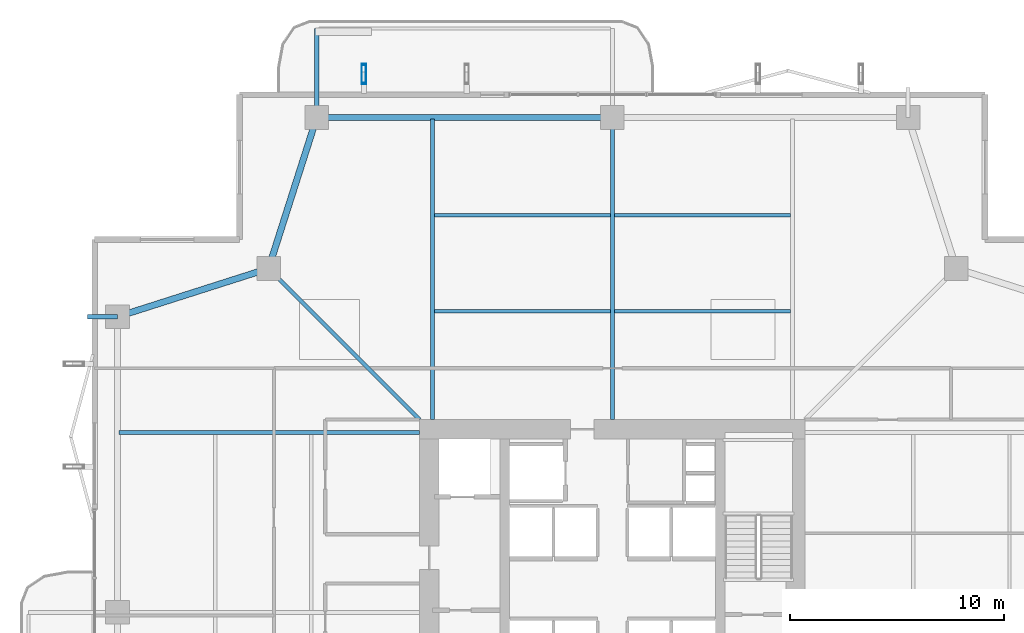
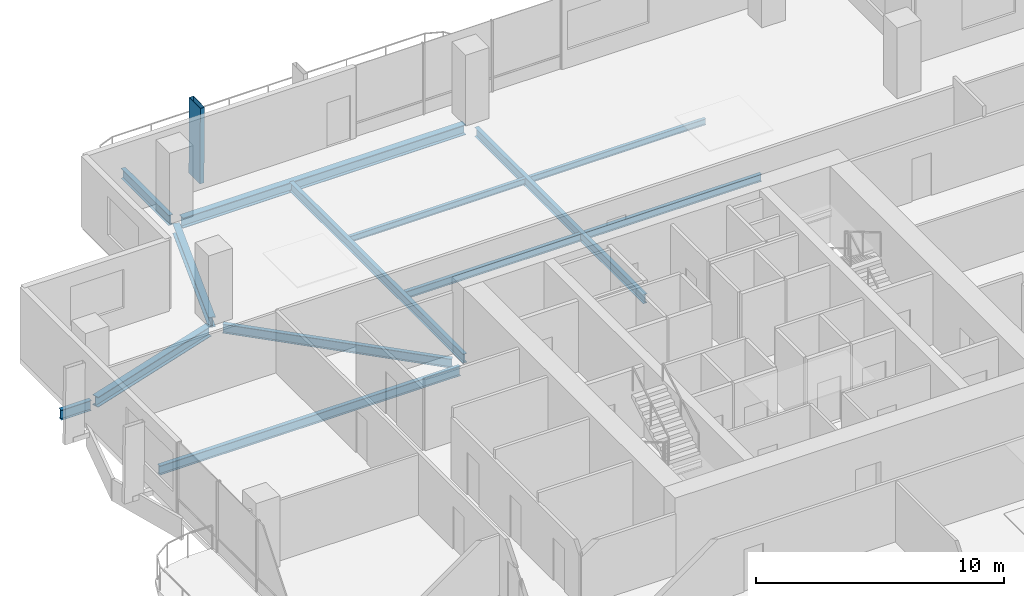
# One storey, part 12 of 24: 13 beams, 1 member.
"""IFC4 building model written with IfcOpenShell, lengths in metres."""

from ifc_helpers import new_model, si_unit, direction, frame, origin, origin_2d, place, context, subcontext, project, spatial, hollow_rectangle, i_section, extrude, material, material_profile, profile_set, type_object, element, save


model = new_model("IFC4")

# Units and contexts
model_context = context("Model", 3, precision=1e-05, world=origin(), true_north=direction((0.0, 1.0)))
body_context = subcontext(model_context, "Body", "Model", "MODEL_VIEW")
ifc_project = project(units=[si_unit("LENGTHUNIT", "METRE"), si_unit("AREAUNIT", "SQUARE_METRE"), si_unit("VOLUMEUNIT", "CUBIC_METRE"), si_unit("PLANEANGLEUNIT", "RADIAN"), si_unit("MASSUNIT", "GRAM", prefix="KILO")], contexts=[model_context])

# Site, building, storey
site_placement = place(None, origin())
site = spatial("IfcSite", under=ifc_project, at=site_placement, CompositionType="ELEMENT")
building_placement = place(site_placement, origin())
building = spatial("IfcBuilding", under=site, at=building_placement, Name="Belovzor Exchange Tower", CompositionType="ELEMENT")
storey_placement = place(building_placement, frame((0.0, 0.0, 179.550048828125)))
storey = spatial("IfcBuildingStorey", under=building, at=storey_placement, Name="L44", CompositionType="ELEMENT", Elevation=179.550048828125)

# Beams
ifc_material_1 = material(Name="Steel S355", Category="steel")
ifc_material_profile_1 = material_profile(ifc_material_1, i_section(OverallWidth=0.199951171875, OverallDepth=0.5, WebThickness=0.01025390625, FlangeThickness=0.01611328125, at=origin_2d()))
ifc_profile_set_1 = profile_set([ifc_material_profile_1], Name="Steel S355")
beam_type_1 = type_object("IfcBeamType", Name="Planted Balcony Cantilever Beam IPE 500", PredefinedType="BEAM", material=ifc_profile_set_1)
beam_1_placement = place(storey_placement, frame((15.0, 52.202880859375, -0.505126953125), z_axis=(0.0, 1.0, 0.0), x_axis=(-1.0, 0.0, 0.0)))
element("IfcBeam", 1, at=beam_1_placement, inside=storey, type_object=beam_type_1, Name="BC-500 Planted Balcony Cantilever Beam IPE 500", PredefinedType="BEAM", context=body_context, shape_type="SweptSolid", body=[
    extrude(i_section(OverallWidth=0.199951171875, OverallDepth=0.5, WebThickness=0.01025390625, FlangeThickness=0.01611328125, at=origin_2d()), origin(), (0.0, 0.0, 1.0), 3.85009765625),
])
beam_2_placement = place(storey_placement, frame((5.699951171875, 42.60009765625, -0.505126953125), z_axis=(-1.0, 0.0, 0.0), x_axis=(0.0, -1.0, 0.0)))
element("IfcBeam", 2, at=beam_2_placement, inside=storey, type_object=beam_type_1, Name="BC-500 Planted Balcony Cantilever Beam IPE 500", PredefinedType="BEAM", context=body_context, shape_type="SweptSolid", body=[
    extrude(i_section(OverallWidth=0.199951171875, OverallDepth=0.5, WebThickness=0.01025390625, FlangeThickness=0.01611328125, at=origin_2d()), origin(), (0.0, 0.0, 1.0), 1.39990234375),
])
ifc_material_2 = material(Name="Steel S355", Category="steel")
ifc_material_profile_2 = material_profile(ifc_material_2, i_section(OverallWidth=0.169921875, OverallDepth=0.360107421875, WebThickness=0.008056640625, FlangeThickness=0.0126953125, at=origin_2d()))
ifc_profile_set_2 = profile_set([ifc_material_profile_2], Name="Steel S355")
beam_type_2 = type_object("IfcBeamType", Name="Secondary Infill Floor Joist IPE 360", PredefinedType="BEAM", material=ifc_profile_set_2)
for number, where, z_axis, x_axis, name in (
    (3, (20.4951171875, 42.84912109375, -0.43505859375), (1.0, 0.0, 0.0), (0.0, 1.0, 0.0), "FJ-360 Secondary Infill Floor Joist IPE 360"),
    (4, (28.89501953125, 42.84912109375, -0.43505859375), (1.0, 0.0, 0.0), (0.0, 1.0, 0.0), "FJ-360 Secondary Infill Floor Joist IPE 360"),
):
    element("IfcBeam", number, at=place(storey_placement, frame(where, z_axis=z_axis, x_axis=x_axis)), inside=storey, type_object=beam_type_2, Name=name, PredefinedType="BEAM", context=body_context, shape_type="SweptSolid", body=[
        extrude(i_section(OverallWidth=0.169921875, OverallDepth=0.360107421875, WebThickness=0.008056640625, FlangeThickness=0.0126953125, at=origin_2d()), origin(), (0.0, 0.0, 1.0), 8.2099609375),
    ])
ifc_material_3 = material(Name="Steel S355", Category="steel")
ifc_material_profile_3 = material_profile(ifc_material_3, i_section(OverallWidth=0.14990234375, OverallDepth=0.300048828125, WebThickness=0.007080078125, FlangeThickness=0.0107421875, at=origin_2d()))
ifc_profile_set_3 = profile_set([ifc_material_profile_3], Name="Steel S355")
beam_type_3 = type_object("IfcBeamType", Name="Secondary Trim Floor Joist IPE 300", PredefinedType="BEAM", material=ifc_profile_set_3)
for number, where, z_axis, x_axis, name in (
    (5, (20.4951171875, 47.3369140625, -0.405029296875), (1.0, 0.0, 0.0), (0.0, 1.0, 0.0), "FJ-300 Secondary Trim Floor Joist IPE 300"),
    (6, (28.89501953125, 47.3369140625, -0.405029296875), (1.0, 0.0, 0.0), (0.0, 1.0, 0.0), "FJ-300 Secondary Trim Floor Joist IPE 300"),
):
    element("IfcBeam", number, at=place(storey_placement, frame(where, z_axis=z_axis, x_axis=x_axis)), inside=storey, type_object=beam_type_3, Name=name, PredefinedType="BEAM", context=body_context, shape_type="SweptSolid", body=[
        extrude(i_section(OverallWidth=0.14990234375, OverallDepth=0.300048828125, WebThickness=0.007080078125, FlangeThickness=0.0107421875, at=origin_2d()), origin(), (0.0, 0.0, 1.0), 8.2099609375),
    ])

# Member
ifc_material_4 = material(Name="Extruded Architectural Terracotta on Steel S355 Carrier", Category="masonry")
ifc_material_profile_4 = material_profile(ifc_material_4, hollow_rectangle(XDim=0.199951171875, YDim=0.89990234375, WallThickness=0.011962890625, at=origin_2d()))
ifc_profile_set_4 = profile_set([ifc_material_profile_4], Name="Extruded Architectural Terracotta on Steel S355 Carrier")
member_type = type_object("IfcMemberType", Name="Sweeping Terracotta Baguette Fin Assembly 1250", PredefinedType="USERDEFINED", material=ifc_profile_set_4)
member_placement = place(storey_placement, frame((17.199951171875, 53.952880859375, -0.255126953125), z_axis=(0.0, -0.011197214661, 0.999937309227), x_axis=(1.0, 0.0, 0.0)))
element("IfcMember", 7, at=member_placement, inside=storey, type_object=member_type, Name="FIN-TC125 Terracotta Facade Fin L44 N1", ObjectType="FIN", PredefinedType="USERDEFINED", context=body_context, shape_type="SweptSolid", body=[
    extrude(hollow_rectangle(XDim=0.199951171875, YDim=0.89990234375, WallThickness=0.011962890625, at=origin_2d()), origin(), (0.0, 0.0, 1.0), 3.750244140625),
])

# Beams
ifc_material_5 = material(Name="Steel S355", Category="steel")
ifc_material_profile_5 = material_profile(ifc_material_5, i_section(OverallWidth=0.18994140625, OverallDepth=0.449951171875, WebThickness=0.009521484375, FlangeThickness=0.0146484375, at=origin_2d()))
ifc_profile_set_5 = profile_set([ifc_material_profile_5], Name="Steel S355")
beam_type_4 = type_object("IfcBeamType", Name="Zone 2-4 Radial Composite Floor Beam IPE 450", PredefinedType="BEAM", material=ifc_profile_set_5)
beam_3_placement = place(storey_placement, frame((20.39990234375, 37.800048828125, -0.47998046875), z_axis=(0.0, 1.0, 0.0), x_axis=(-1.0, 0.0, 0.0)))
element("IfcBeam", 8, at=beam_3_placement, inside=storey, type_object=beam_type_4, Name="FB-450 Zone 2-4 Radial Composite Floor Beam IPE 450", PredefinedType="BEAM", context=body_context, shape_type="SweptSolid", body=[
    extrude(i_section(OverallWidth=0.18994140625, OverallDepth=0.449951171875, WebThickness=0.009521484375, FlangeThickness=0.0146484375, at=origin_2d()), origin(), (0.0, 0.0, 1.0), 14.02490234375),
])
beam_4_placement = place(storey_placement, frame((28.800048828125, 37.800048828125, -0.47998046875), z_axis=(0.0, 1.0, 0.0), x_axis=(-1.0, 0.0, 0.0)))
element("IfcBeam", 9, at=beam_4_placement, inside=storey, type_object=beam_type_4, Name="FB-450 Zone 2-4 Radial Composite Floor Beam IPE 450", PredefinedType="BEAM", context=body_context, shape_type="SweptSolid", body=[
    extrude(i_section(OverallWidth=0.18994140625, OverallDepth=0.449951171875, WebThickness=0.009521484375, FlangeThickness=0.0146484375, at=origin_2d()), origin(), (0.0, 0.0, 1.0), 13.615966796875),
])
beam_5_placement = place(storey_placement, frame((19.800048828125, 37.199951171875, -0.47998046875), z_axis=(-1.0, 0.0, 0.0), x_axis=(0.0, -1.0, 0.0)))
element("IfcBeam", 10, at=beam_5_placement, inside=storey, type_object=beam_type_4, Name="FB-450 Zone 2-4 Radial Composite Floor Beam IPE 450", PredefinedType="BEAM", context=body_context, shape_type="SweptSolid", body=[
    extrude(i_section(OverallWidth=0.18994140625, OverallDepth=0.449951171875, WebThickness=0.009521484375, FlangeThickness=0.0146484375, at=origin_2d()), origin(), (0.0, 0.0, 1.0), 14.025146484375),
])
beam_6_placement = place(storey_placement, frame((19.800048828125, 37.800048828125, -0.47998046875), z_axis=(-0.707119521505, 0.707094040639, 0.0), x_axis=(-0.707094040639, -0.707119521505, 0.0)))
element("IfcBeam", 11, at=beam_6_placement, inside=storey, type_object=beam_type_4, Name="FB-450 Zone 2-4 Radial Composite Floor Beam IPE 450", PredefinedType="BEAM", context=body_context, shape_type="SweptSolid", body=[
    extrude(i_section(OverallWidth=0.18994140625, OverallDepth=0.449951171875, WebThickness=0.009521484375, FlangeThickness=0.0146484375, at=origin_2d()), origin(), (0.0, 0.0, 1.0), 9.581298828125),
])
ifc_material_6 = material(Name="Steel S355", Category="steel")
ifc_material_profile_6 = material_profile(ifc_material_6, i_section(OverallWidth=0.300048828125, OverallDepth=0.5, WebThickness=0.014404296875, FlangeThickness=0.028076171875, at=origin_2d()))
ifc_profile_set_6 = profile_set([ifc_material_profile_6], Name="Steel S355")
beam_type_5 = type_object("IfcBeamType", Name="Zone 3 Waist Primary Girder HEB 500", PredefinedType="BEAM", material=ifc_profile_set_6)
beam_7_placement = place(storey_placement, frame((28.498046875, 51.89990234375, -0.505126953125), z_axis=(-1.0, 0.0, 0.0), x_axis=(0.0, -1.0, 0.0)))
element("IfcBeam", 12, at=beam_7_placement, inside=storey, type_object=beam_type_5, Name="FG-Z3 Zone 3 Waist Primary Girder HEB 500", PredefinedType="BEAM", context=body_context, shape_type="SweptSolid", body=[
    extrude(i_section(OverallWidth=0.300048828125, OverallDepth=0.5, WebThickness=0.014404296875, FlangeThickness=0.028076171875, at=origin_2d()), origin(), (0.0, 0.0, 1.0), 13.195068359375),
])
for number, where, z_axis, x_axis, name in (
    (13, (14.907958984375, 51.612060546875, -0.505126953125), (-0.304001325621, -0.952671608699, 0.0), (0.952671608699, -0.304001325621, 0.0), "FG-Z3 Zone 3 Waist Primary Girder HEB 500"),
    (14, (12.4619140625, 44.758056640625, -0.505126953125), (-0.952657882792, -0.304044336164, 0.0), (0.304044336164, -0.952657882792, 0.0), "FG-Z3 Zone 3 Waist Primary Girder HEB 500"),
):
    element("IfcBeam", number, at=place(storey_placement, frame(where, z_axis=z_axis, x_axis=x_axis)), inside=storey, type_object=beam_type_5, Name=name, PredefinedType="BEAM", context=body_context, shape_type="SweptSolid", body=[
        extrude(i_section(OverallWidth=0.300048828125, OverallDepth=0.5, WebThickness=0.014404296875, FlangeThickness=0.028076171875, at=origin_2d()), origin(), (0.0, 0.0, 1.0), 6.795654296875),
    ])

save(model, "model.ifc")
